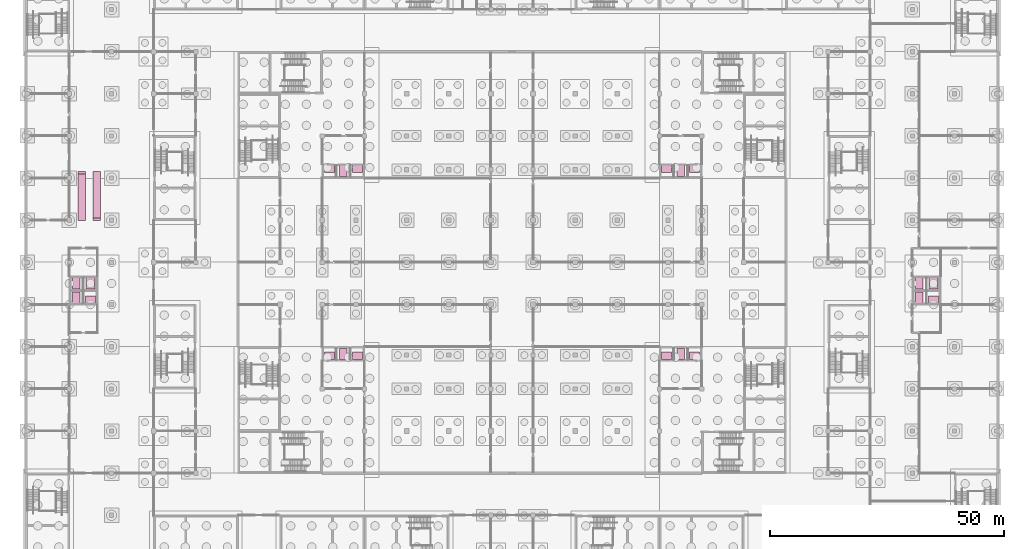
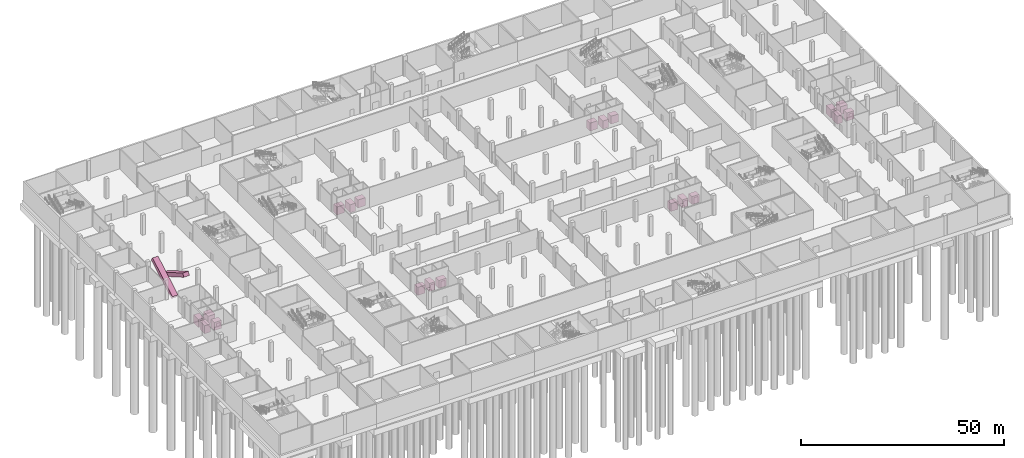
# One storey, part 42 of 42: 22 transport elements.
"""IFC4 building model written with IfcOpenShell, lengths in metres."""

from ifc_helpers import new_model, si_unit, direction, frame, origin, origin_2d, place, context, subcontext, project, spatial, polyline, rectangle, outline, extrude, material, type_object, element, save


model = new_model("IFC4")

# Units and contexts
model_context = context("Model", 3, precision=1e-05, world=origin(), true_north=direction((0.0, 1.0)))
body_context = subcontext(model_context, "Body", "Model", "MODEL_VIEW")
ifc_project = project(units=[si_unit("LENGTHUNIT", "METRE"), si_unit("AREAUNIT", "SQUARE_METRE"), si_unit("VOLUMEUNIT", "CUBIC_METRE"), si_unit("PLANEANGLEUNIT", "RADIAN"), si_unit("MASSUNIT", "GRAM", prefix="KILO")], contexts=[model_context])

# Site, building, storey
site_placement = place(None, origin())
site = spatial("IfcSite", under=ifc_project, at=site_placement, CompositionType="ELEMENT")
building_placement = place(site_placement, origin())
building = spatial("IfcBuilding", under=site, at=building_placement, Name="Silverbay Arena", CompositionType="ELEMENT")
storey_placement = place(building_placement, frame((0.0, 0.0, -6.0)))
storey = spatial("IfcBuildingStorey", under=building, at=storey_placement, Name="B1", CompositionType="ELEMENT", Elevation=-6.0)

# Transport elements
ifc_material_1 = material(Name="Stainless steel", Category="steel")
transport_element_type_1 = type_object("IfcTransportElementType", Name="Escalator 1600 wide 30 degree", PredefinedType="ESCALATOR", material=ifc_material_1)
transport_element_1_placement = place(storey_placement, frame((37.800048828125, 90.0, 0.0), z_axis=(0.0, -0.500005521382, 0.86602221599), x_axis=(1.0, 0.0, 0.0)))
element("IfcTransportElement", 1, at=transport_element_1_placement, inside=storey, type_object=transport_element_type_1, Name="Escalator LF28", PredefinedType="ESCALATOR", context=body_context, shape_type="SweptSolid", body=[
    extrude(outline(polyline([(0.0, 0.0), (1.599853515625, 0.0), (1.599853515625, 11.422725424046039), (0.0, 11.422725424046039), (0.0, 0.0)])), origin(), (0.0, 0.0, -1.0), 1.10009765625),
])
transport_element_2_placement = place(storey_placement, frame((41.0, 100.392333984375, 0.0), z_axis=(0.0, 0.500005521382, 0.86602221599), x_axis=(1.0, 0.0, 0.0)))
element("IfcTransportElement", 2, at=transport_element_2_placement, inside=storey, type_object=transport_element_type_1, Name="Escalator LF29", PredefinedType="ESCALATOR", context=body_context, shape_type="SweptSolid", body=[
    extrude(outline(polyline([(0.0, 0.0), (1.60009765625, 0.0), (1.60009765625, -11.422725424046039), (0.0, -11.422725424046039), (0.0, 0.0)])), origin(), (0.0, 0.0, -1.0), 1.10009765625),
])
ifc_material_2 = material(Name="Stainless steel", Category="steel")
transport_element_type_2 = type_object("IfcTransportElementType", Name="Firefighting lift 1600 kg car 1600 x 2400", PredefinedType="ELEVATOR", material=ifc_material_2)
for number, where, z_axis, x_axis, name in (
    (3, (94.5, 61.449951171875, 0.0), (0.0, 0.0, 1.0), (1.0, 0.0, 0.0), "Firefighting lift LF4"),
    (4, (166.5, 61.449951171875, 0.0), (0.0, 0.0, 1.0), (1.0, 0.0, 0.0), "Firefighting lift LF7"),
    (5, (94.5, 100.550048828125, 0.0), (0.0, 0.0, 1.0), (1.0, 0.0, 0.0), "Firefighting lift LF10"),
    (6, (166.5, 100.550048828125, 0.0), (0.0, 0.0, 1.0), (1.0, 0.0, 0.0), "Firefighting lift LF13"),
    (7, (37.5, 73.449951171875, 0.0), (0.0, 0.0, 1.0), (1.0, 0.0, 0.0), "Firefighting lift LF15"),
    (8, (37.5, 76.550048828125, 0.0), (0.0, 0.0, 1.0), (1.0, 0.0, 0.0), "Firefighting lift LF17"),
    (9, (217.5, 73.449951171875, 0.0), (0.0, 0.0, 1.0), (1.0, 0.0, 0.0), "Firefighting lift LF20"),
    (10, (217.5, 76.550048828125, 0.0), (0.0, 0.0, 1.0), (1.0, 0.0, 0.0), "Firefighting lift LF22"),
):
    element("IfcTransportElement", number, at=place(storey_placement, frame(where, z_axis=z_axis, x_axis=x_axis)), inside=storey, type_object=transport_element_type_2, Name=name, PredefinedType="ELEVATOR", context=body_context, shape_type="SweptSolid", body=[
        extrude(rectangle(XDim=1.60009765625, YDim=2.39990234375, at=origin_2d()), origin(), (0.0, 0.0, 1.0), 2.39990234375),
    ])
ifc_material_3 = material(Name="Stainless steel", Category="steel")
transport_element_type_3 = type_object("IfcTransportElementType", Name="Goods lift 2500 kg car 2000 x 2400", PredefinedType="ELEVATOR", material=ifc_material_3)
for number, where, z_axis, x_axis, name in (
    (11, (40.5, 76.550048828125, 0.0), (0.0, 0.0, 1.0), (1.0, 0.0, 0.0), "Goods lift LF19"),
    (12, (220.5, 76.550048828125, 0.0), (0.0, 0.0, 1.0), (1.0, 0.0, 0.0), "Goods lift LF23"),
):
    element("IfcTransportElement", number, at=place(storey_placement, frame(where, z_axis=z_axis, x_axis=x_axis)), inside=storey, type_object=transport_element_type_3, Name=name, PredefinedType="ELEVATOR", context=body_context, shape_type="SweptSolid", body=[
        extrude(rectangle(XDim=2.0, YDim=2.39990234375, at=origin_2d()), origin(), (0.0, 0.0, 1.0), 2.39990234375),
    ])
ifc_material_4 = material(Name="Stainless steel", Category="steel")
transport_element_type_4 = type_object("IfcTransportElementType", Name="Passenger lift 1600 kg car 2100 x 1600", PredefinedType="ELEVATOR", material=ifc_material_4)
for number, where, z_axis, x_axis, name in (
    (13, (91.5, 61.050048828125, 0.0), (0.0, 0.0, 1.0), (1.0, 0.0, 0.0), "Passenger lift LF2"),
    (14, (97.5, 61.050048828125, 0.0), (0.0, 0.0, 1.0), (1.0, 0.0, 0.0), "Passenger lift LF5"),
    (15, (163.5, 61.050048828125, 0.0), (0.0, 0.0, 1.0), (1.0, 0.0, 0.0), "Passenger lift LF6"),
    (16, (169.5, 61.050048828125, 0.0), (0.0, 0.0, 1.0), (1.0, 0.0, 0.0), "Passenger lift LF8"),
    (17, (91.5, 100.949951171875, 0.0), (0.0, 0.0, 1.0), (1.0, 0.0, 0.0), "Passenger lift LF9"),
    (18, (97.5, 100.949951171875, 0.0), (0.0, 0.0, 1.0), (1.0, 0.0, 0.0), "Passenger lift LF11"),
    (19, (163.5, 100.949951171875, 0.0), (0.0, 0.0, 1.0), (1.0, 0.0, 0.0), "Passenger lift LF12"),
    (20, (169.5, 100.949951171875, 0.0), (0.0, 0.0, 1.0), (1.0, 0.0, 0.0), "Passenger lift LF14"),
    (21, (40.5, 73.050048828125, 0.0), (0.0, 0.0, 1.0), (1.0, 0.0, 0.0), "Passenger lift LF16"),
    (22, (220.5, 73.050048828125, 0.0), (0.0, 0.0, 1.0), (1.0, 0.0, 0.0), "Passenger lift LF21"),
):
    element("IfcTransportElement", number, at=place(storey_placement, frame(where, z_axis=z_axis, x_axis=x_axis)), inside=storey, type_object=transport_element_type_4, Name=name, PredefinedType="ELEVATOR", context=body_context, shape_type="SweptSolid", body=[
        extrude(rectangle(XDim=2.10009765625, YDim=1.60009765625, at=origin_2d()), origin(), (0.0, 0.0, 1.0), 2.39990234375),
    ])

save(model, "model.ifc")
